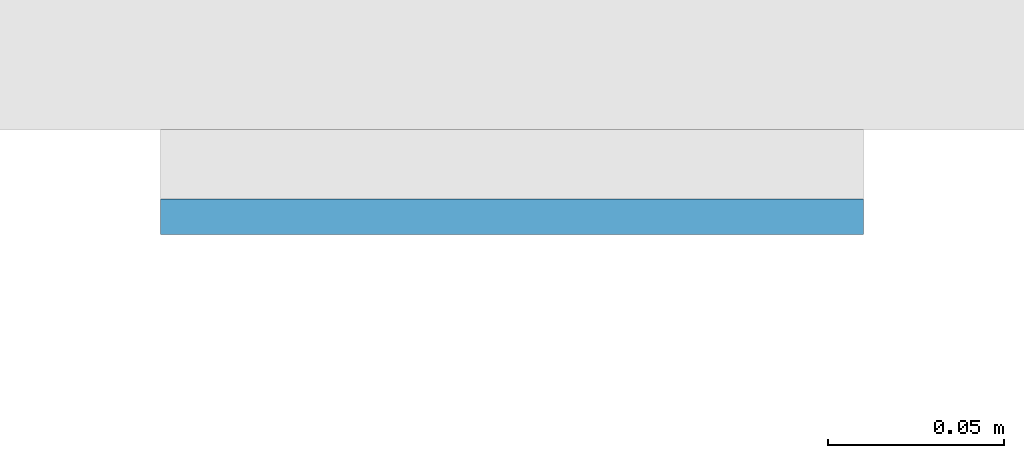
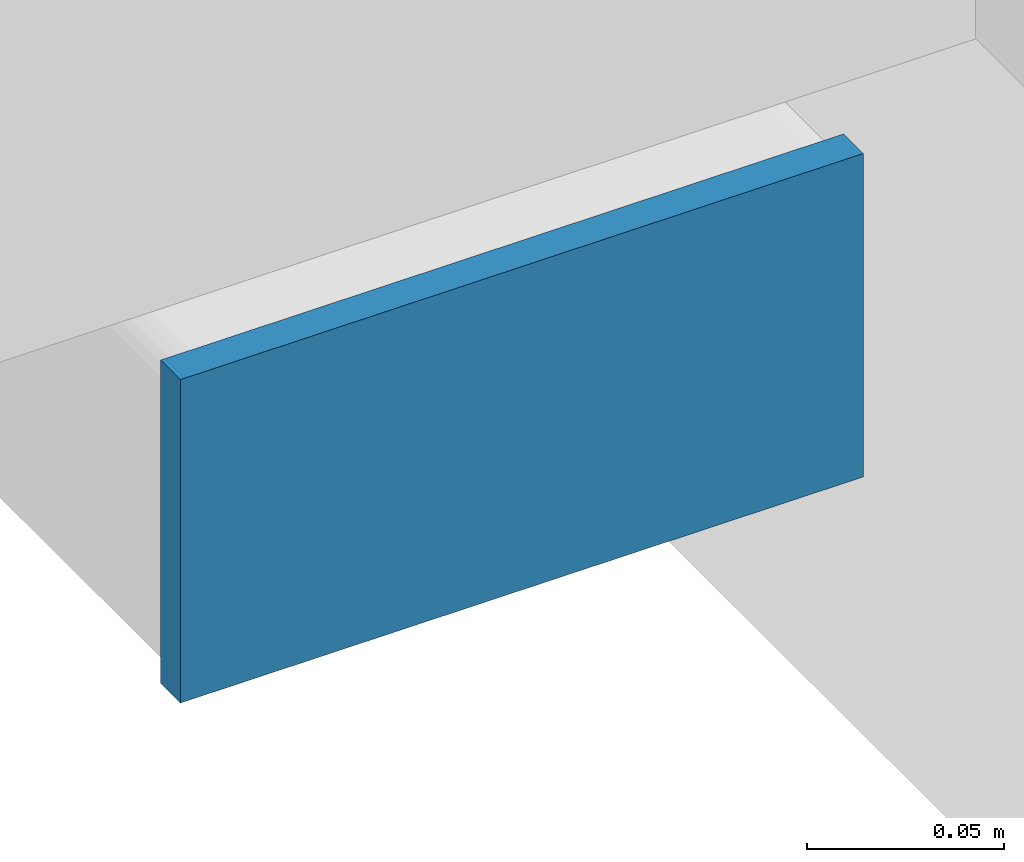
# One storey, part 8 of 20: 1 plate.
"""IFC4 building model written with IfcOpenShell, lengths in metres."""

import ifcopenshell
import ifcopenshell.guid

model = None  # the IFC model being written
_history = None  # IfcOwnerHistory: only IFC2X3 demands one
_inside = {}  # id of a spatial element -> (the spatial element, [elements in it])
_under = {}  # id of a project, library or spatial element -> (it, [spatial elements below it])
_declared = {}  # id of a project -> (the project, [libraries it declares])
_typed = {}  # id of a type object -> (the type object, [elements of that type])
_made_of = {}  # id of a material, layer set ... -> (it, [elements and type objects made of it])


def new_model(schema):
    """Start an empty IFC model of exactly this schema.

    Asked for "IFC4X3", IfcOpenShell would pick the latest addendum, in which some entities
    have other attributes; the version numbers below select the first issue.
    IFC2X3 requires an IfcOwnerHistory on every rooted entity: one is made here for all.
    """
    global model, _history
    if schema == "IFC4X3":
        model = ifcopenshell.file(schema_version=(4, 3, 0, 0))
    else:
        model = ifcopenshell.file(schema=schema)
    _inside.clear()
    _under.clear()
    _declared.clear()
    _typed.clear()
    _made_of.clear()
    _history = None
    if model.schema == "IFC2X3":
        org = make("IfcOrganization", Name="unknown")
        user = make(
            "IfcPersonAndOrganization",
            ThePerson=make("IfcPerson", FamilyName="unknown"),
            TheOrganization=org,
        )
        app = make(
            "IfcApplication",
            ApplicationDeveloper=org,
            Version="unknown",
            ApplicationFullName="unknown",
            ApplicationIdentifier="unknown",
        )
        _history = make(
            "IfcOwnerHistory",
            OwningUser=user,
            OwningApplication=app,
            ChangeAction="ADDED",
            CreationDate=0,
        )
    return model


def make(cls, **values):
    """One entity of the class cls with the attributes given. An attribute that is None is left unset."""
    return model.create_entity(
        cls, **{name: value for name, value in values.items() if value is not None}
    )


def rooted(cls, **values):
    """An entity with a GlobalId (a new one), such as an element, a storey or a relation."""
    return make(cls, GlobalId=ifcopenshell.guid.new(), OwnerHistory=_history, **values)


def si_unit(unit_type, name, prefix=None):
    """IfcSIUnit, for example si_unit("LENGTHUNIT", "METRE", prefix="MILLI")."""
    return make("IfcSIUnit", UnitType=unit_type, Prefix=prefix, Name=name)


def assignment(units):
    """IfcUnitAssignment: the units of a project."""
    return None if units is None else make("IfcUnitAssignment", Units=units)


def point(xyz):
    """IfcCartesianPoint."""
    return None if xyz is None else make("IfcCartesianPoint", Coordinates=xyz)


def direction(xyz):
    """IfcDirection."""
    return None if xyz is None else make("IfcDirection", DirectionRatios=xyz)


def frame(location, z_axis=None, x_axis=None):
    """IfcAxis2Placement3D, a coordinate frame: its origin and axes. An axis left out is left unset."""
    return make(
        "IfcAxis2Placement3D",
        Location=point(location),
        Axis=direction(z_axis),
        RefDirection=direction(x_axis),
    )


def frame_2d(location, x_axis=None):
    """IfcAxis2Placement2D, a coordinate frame in the plane: its origin and x axis."""
    return make(
        "IfcAxis2Placement2D", Location=point(location), RefDirection=direction(x_axis)
    )


def origin():
    """The frame at (0, 0, 0) with its axes left unset."""
    return frame((0.0, 0.0, 0.0))


def origin_2d():
    """The frame at (0, 0) in the plane with its x axis left unset."""
    return frame_2d((0.0, 0.0))


def place(relative_to, where):
    """IfcLocalPlacement: puts the frame where relative to a parent placement (None: the world)."""
    return make(
        "IfcLocalPlacement", PlacementRelTo=relative_to, RelativePlacement=where
    )


def context(
    kind, dimensions, precision=None, world=None, true_north=None, identifier=None
):
    """IfcGeometricRepresentationContext, for example the 3D "Model" context."""
    return make(
        "IfcGeometricRepresentationContext",
        ContextIdentifier=identifier,
        ContextType=kind,
        CoordinateSpaceDimension=dimensions,
        Precision=precision,
        WorldCoordinateSystem=world,
        TrueNorth=true_north,
    )


def subcontext(parent, identifier, kind, view, scale=None):
    """IfcGeometricRepresentationSubContext, for example "Body" below "Model"."""
    return make(
        "IfcGeometricRepresentationSubContext",
        ContextIdentifier=identifier,
        ContextType=kind,
        ParentContext=parent,
        TargetScale=scale,
        TargetView=view,
    )


def project(units=None, contexts=None):
    """IfcProject with its units and contexts."""
    return rooted(
        "IfcProject",
        Name="project",
        RepresentationContexts=contexts,
        UnitsInContext=assignment(units),
    )


def spatial(cls, under=None, at=None, **own):
    """A site, building, storey or space (cls), placed at a placement, below another one or the project."""
    s = rooted(cls, ObjectPlacement=at, **own)
    if under is not None:
        _under.setdefault(under.id(), (under, []))[1].append(s)
    return s


def profile(cls, at=None, kind="AREA", **sizes):
    """A parametric profile (cls). Its sizes go by their IFC names, for example OverallWidth=200.0."""
    return make(cls, ProfileType=kind, Position=at, **sizes)


def rectangle(**sizes):
    """IfcRectangleProfileDef."""
    return profile("IfcRectangleProfileDef", **sizes)


def extrude(swept, where, along, depth):
    """IfcExtrudedAreaSolid: the profile swept, set in the frame where, extruded along a direction by depth."""
    return make(
        "IfcExtrudedAreaSolid",
        SweptArea=swept,
        Position=where,
        ExtrudedDirection=direction(along),
        Depth=depth,
    )


def shape(context_of_items, identifier, shape_type, items):
    """IfcShapeRepresentation: the items that make up one representation, for example the "Body"."""
    return make(
        "IfcShapeRepresentation",
        ContextOfItems=context_of_items,
        RepresentationIdentifier=identifier,
        RepresentationType=shape_type,
        Items=items,
    )


def material(Name=None, Category=None):
    """IfcMaterial."""
    return make("IfcMaterial", Name=Name, Category=Category)


def layer(
    of_material, thickness, ventilated=None, Name=None, Category=None, Priority=None
):
    """IfcMaterialLayer: one layer of a wall or slab, of a material (None: an air gap)."""
    return make(
        "IfcMaterialLayer",
        Material=of_material,
        LayerThickness=thickness,
        IsVentilated=ventilated,
        Name=Name,
        Category=Category,
        Priority=Priority,
    )


def layer_set(layers, Name=None):
    """IfcMaterialLayerSet."""
    return make("IfcMaterialLayerSet", MaterialLayers=layers, LayerSetName=Name)


def made_of(thing, what):
    """Note that an element or type object is made of a material, layer set ...; save() writes the relation."""
    if what is not None:
        _made_of.setdefault(what.id(), (what, []))[1].append(thing)
    return thing


def type_object(cls, material=None, **own):
    """A type object (cls), such as IfcWallType, which elements share."""
    return made_of(rooted(cls, **own), material)


def element(
    cls,
    number,
    at=None,
    inside=None,
    cuts=None,
    type_object=None,
    material=None,
    context=None,
    identifier="Body",
    shape_type=None,
    held_by="IfcProductDefinitionShape",
    body=None,
    shapes=None,
    **own,
):
    """One element of the class cls, such as IfcWall. Its Tag is "e" and its number.

    at: its placement. inside: the storey or other place that contains it. cuts: it is an
    opening in that element (IfcRelVoidsElement). A single representation is given by context,
    identifier, shape_type and body (its items); several are given by shapes. held_by: the class
    of the entity that holds the representations. save() writes the other relations.
    """
    e = rooted(cls, Tag="e%d" % number, ObjectPlacement=at, **own)
    if body is not None:
        shapes = [shape(context, identifier, shape_type, body)]
    if shapes is not None:
        e.Representation = make(held_by, Representations=shapes)
    if inside is not None:
        _inside.setdefault(inside.id(), (inside, []))[1].append(e)
    if cuts is not None:
        rooted(
            "IfcRelVoidsElement", RelatingBuildingElement=cuts, RelatedOpeningElement=e
        )
    if type_object is not None:
        _typed.setdefault(type_object.id(), (type_object, []))[1].append(e)
    return made_of(e, material)


def aggregate(whole, parts):
    """IfcRelAggregates: a whole, such as a stair, and the parts it consists of."""
    return rooted("IfcRelAggregates", RelatingObject=whole, RelatedObjects=parts)


def save(model, path):
    """Write the relations noted so far, then the file.

    IfcRelAggregates (storeys below a building ...), IfcRelContainedInSpatialStructure (elements
    in a storey), IfcRelDefinesByType, IfcRelAssociatesMaterial and IfcRelDeclares: one each for
    every whole, place, type object, material and project.
    """
    for whole, parts in _under.values():
        aggregate(whole, parts)
    for where, things in _inside.values():
        rooted(
            "IfcRelContainedInSpatialStructure",
            RelatedElements=things,
            RelatingStructure=where,
        )
    for kind, things in _typed.values():
        rooted("IfcRelDefinesByType", RelatedObjects=things, RelatingType=kind)
    for what, things in _made_of.values():
        rooted("IfcRelAssociatesMaterial", RelatedObjects=things, RelatingMaterial=what)
    for by, libraries in _declared.values():
        rooted("IfcRelDeclares", RelatingContext=by, RelatedDefinitions=libraries)
    model.write(path)


model = new_model("IFC4")

# Units and contexts
model_context = context("Model", 3, precision=1e-05, world=origin(), true_north=direction((0.0, 1.0)))
body_context = subcontext(model_context, "Body", "Model", "MODEL_VIEW")
ifc_project = project(units=[si_unit("LENGTHUNIT", "METRE"), si_unit("AREAUNIT", "SQUARE_METRE"), si_unit("VOLUMEUNIT", "CUBIC_METRE"), si_unit("PLANEANGLEUNIT", "RADIAN"), si_unit("MASSUNIT", "GRAM", prefix="KILO")], contexts=[model_context])

# Site, building, storey
site_placement = place(None, origin())
site = spatial("IfcSite", under=ifc_project, at=site_placement, CompositionType="ELEMENT")
building_placement = place(site_placement, origin())
building = spatial("IfcBuilding", under=site, at=building_placement, Name="Cleftline Residences", CompositionType="ELEMENT")
storey_placement = place(building_placement, frame((0.0, 0.0, 189.39990234375)))
storey = spatial("IfcBuildingStorey", under=building, at=storey_placement, Name="L49", CompositionType="ELEMENT", Elevation=189.39990234375)

# Plate
ifc_material = material(Name="Steel S355, hot-dip galvanised", Category="steel")
ifc_layer = layer(ifc_material, 0.010009765625)
ifc_layer_set = layer_set([ifc_layer], Name="BAGUETTE CARRIER END PLATE 200X100X10")
plate_type = type_object("IfcPlateType", Name="BAGUETTE CARRIER END PLATE 200X100X10", PredefinedType="USERDEFINED", material=ifc_layer_set)
plate_placement = place(storey_placement, frame((-0.85009765625, 3.695068359375, -0.099853515625), z_axis=(0.0, 0.0, 1.0), x_axis=(-1.0, 0.0, 0.0)))
element("IfcPlate", 1, at=plate_placement, inside=storey, type_object=plate_type, Name="Baguette carrier end plate", ObjectType="BAGUETTE CARRIER END PLATE", PredefinedType="USERDEFINED", context=body_context, shape_type="SweptSolid", body=[
    extrude(rectangle(XDim=0.199951171875, YDim=0.010009765625, at=origin_2d()), origin(), (0.0, 0.0, 1.0), 0.10009765625),
])

save(model, "model.ifc")
